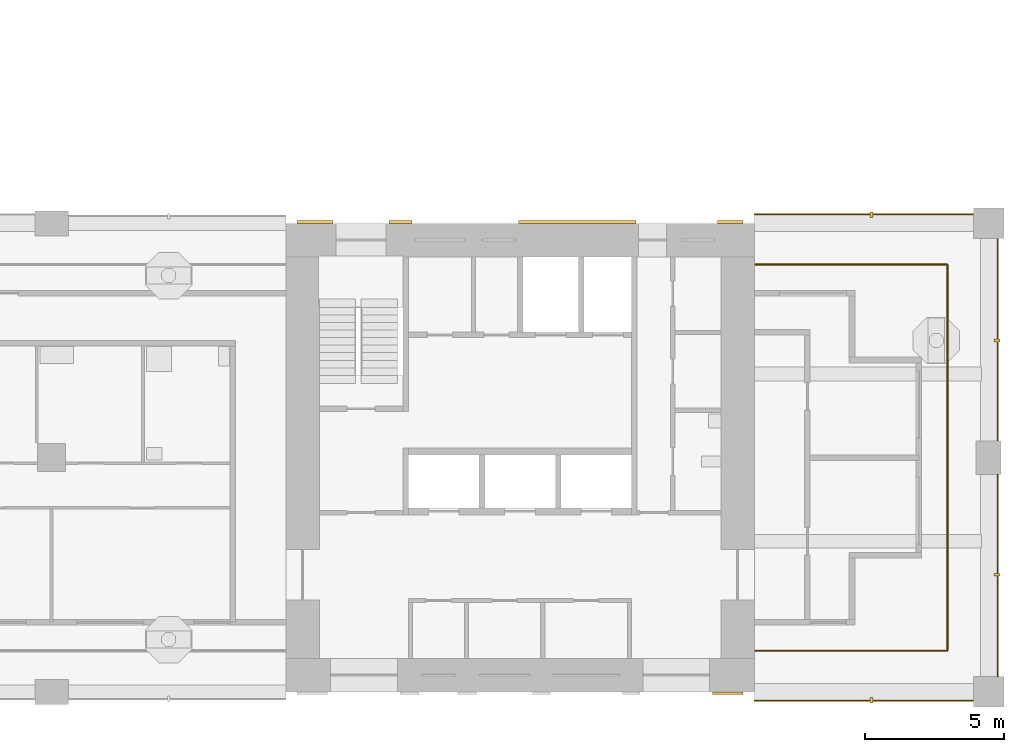
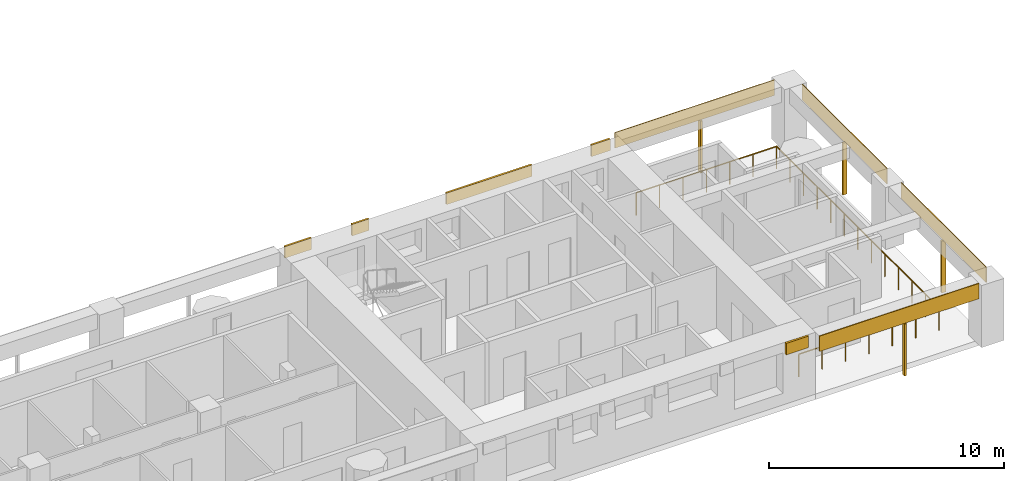
# One storey, part 9 of 13: 13 shading devices, 1 railing.
"""IFC4 building model written with IfcOpenShell, lengths in metres."""

from ifc_helpers import new_model, si_unit, direction, frame, origin, origin_2d, place, context, subcontext, project, spatial, rectangle, circle, extrude, material, layer, layer_set, material_profile, profile_set, type_object, element, save


model = new_model("IFC4")

# Units and contexts
model_context = context("Model", 3, precision=1e-05, world=origin(), true_north=direction((0.0, 1.0)))
body_context = subcontext(model_context, "Body", "Model", "MODEL_VIEW")
ifc_project = project(units=[si_unit("LENGTHUNIT", "METRE"), si_unit("AREAUNIT", "SQUARE_METRE"), si_unit("VOLUMEUNIT", "CUBIC_METRE"), si_unit("PLANEANGLEUNIT", "RADIAN"), si_unit("MASSUNIT", "GRAM", prefix="KILO")], contexts=[model_context])

# Site, building, storey
site_placement = place(None, origin())
site = spatial("IfcSite", under=ifc_project, at=site_placement, CompositionType="ELEMENT")
building_placement = place(site_placement, origin())
building = spatial("IfcBuilding", under=site, at=building_placement, Name="Vermilion Gate Residences", CompositionType="ELEMENT")
storey_placement = place(building_placement, frame((0.0, 0.0, 154.699951171875)))
storey = spatial("IfcBuildingStorey", under=building, at=storey_placement, Name="L39", CompositionType="ELEMENT", Elevation=154.699951171875)

# Railing
ifc_material_1 = material(Name="Stainless steel and toughened glass", Category="steel")
railing_type = type_object("IfcRailingType", Name="LOGGIA GUARD STEEL AND GLASS 1200", PredefinedType="GUARDRAIL", material=ifc_material_1)
railing_placement = place(storey_placement, frame((58.822021484375, 9.875, 0.0)))
element("IfcRailing", 1, at=railing_placement, inside=storey, type_object=railing_type, Name="Loggia guard", PredefinedType="GUARDRAIL", context=body_context, shape_type="SweptSolid", body=[
    extrude(circle(Radius=0.030029296875, at=origin_2d()), frame((0.0, 0.0, 1.169921875), z_axis=(1.0, 0.0, 0.0), x_axis=(0.0, 1.0, 0.0)), (0.0, 0.0, 1.0), 6.903076171875),
    extrude(circle(Radius=0.030029296875, at=origin_2d()), frame((6.903076171875, 0.0, 1.169921875), z_axis=(0.0, 1.0, 0.0), x_axis=(-1.0, 0.0, 0.0)), (0.0, 0.0, 1.0), 13.85009765625),
    extrude(circle(Radius=0.030029296875, at=origin_2d()), frame((6.903076171875, 13.85009765625, 1.169921875), z_axis=(-1.0, 0.0, 0.0), x_axis=(0.0, -1.0, 0.0)), (0.0, 0.0, 1.0), 6.903076171875),
    extrude(circle(Radius=0.02490234375, at=origin_2d()), origin(), (0.0, 0.0, 1.0), 1.139892578125),
    extrude(circle(Radius=0.02490234375, at=origin_2d()), frame((1.150390625, 0.0, 0.0)), (0.0, 0.0, 1.0), 1.139892578125),
    extrude(circle(Radius=0.02490234375, at=origin_2d()), frame((2.301025390625, 0.0, 0.0)), (0.0, 0.0, 1.0), 1.139892578125),
    extrude(circle(Radius=0.02490234375, at=origin_2d()), frame((3.45166015625, 0.0, 0.0)), (0.0, 0.0, 1.0), 1.139892578125),
    extrude(circle(Radius=0.02490234375, at=origin_2d()), frame((4.60205078125, 0.0, 0.0)), (0.0, 0.0, 1.0), 1.139892578125),
    extrude(circle(Radius=0.02490234375, at=origin_2d()), frame((5.75244140625, 0.0, 0.0)), (0.0, 0.0, 1.0), 1.139892578125),
    extrude(circle(Radius=0.02490234375, at=origin_2d()), frame((6.903076171875, 0.0, 0.0)), (0.0, 0.0, 1.0), 1.139892578125),
    extrude(circle(Radius=0.02490234375, at=origin_2d()), frame((6.903076171875, 1.154296875, 0.0)), (0.0, 0.0, 1.0), 1.139892578125),
    extrude(circle(Radius=0.02490234375, at=origin_2d()), frame((6.903076171875, 2.308349609375, 0.0)), (0.0, 0.0, 1.0), 1.139892578125),
    extrude(circle(Radius=0.02490234375, at=origin_2d()), frame((6.903076171875, 3.46240234375, 0.0)), (0.0, 0.0, 1.0), 1.139892578125),
    extrude(circle(Radius=0.02490234375, at=origin_2d()), frame((6.903076171875, 4.61669921875, 0.0)), (0.0, 0.0, 1.0), 1.139892578125),
    extrude(circle(Radius=0.02490234375, at=origin_2d()), frame((6.903076171875, 5.77099609375, 0.0)), (0.0, 0.0, 1.0), 1.139892578125),
    extrude(circle(Radius=0.02490234375, at=origin_2d()), frame((6.903076171875, 6.925048828125, 0.0)), (0.0, 0.0, 1.0), 1.139892578125),
    extrude(circle(Radius=0.02490234375, at=origin_2d()), frame((6.903076171875, 8.0791015625, 0.0)), (0.0, 0.0, 1.0), 1.139892578125),
    extrude(circle(Radius=0.02490234375, at=origin_2d()), frame((6.903076171875, 9.2333984375, 0.0)), (0.0, 0.0, 1.0), 1.139892578125),
    extrude(circle(Radius=0.02490234375, at=origin_2d()), frame((6.903076171875, 10.3876953125, 0.0)), (0.0, 0.0, 1.0), 1.139892578125),
    extrude(circle(Radius=0.02490234375, at=origin_2d()), frame((6.903076171875, 11.541748046875, 0.0)), (0.0, 0.0, 1.0), 1.139892578125),
    extrude(circle(Radius=0.02490234375, at=origin_2d()), frame((6.903076171875, 12.69580078125, 0.0)), (0.0, 0.0, 1.0), 1.139892578125),
    extrude(circle(Radius=0.02490234375, at=origin_2d()), frame((6.903076171875, 13.85009765625, 0.0)), (0.0, 0.0, 1.0), 1.139892578125),
    extrude(circle(Radius=0.02490234375, at=origin_2d()), frame((5.75244140625, 13.85009765625, 0.0)), (0.0, 0.0, 1.0), 1.139892578125),
    extrude(circle(Radius=0.02490234375, at=origin_2d()), frame((4.60205078125, 13.85009765625, 0.0)), (0.0, 0.0, 1.0), 1.139892578125),
    extrude(circle(Radius=0.02490234375, at=origin_2d()), frame((3.45166015625, 13.85009765625, 0.0)), (0.0, 0.0, 1.0), 1.139892578125),
    extrude(circle(Radius=0.02490234375, at=origin_2d()), frame((2.301025390625, 13.85009765625, 0.0)), (0.0, 0.0, 1.0), 1.139892578125),
    extrude(circle(Radius=0.02490234375, at=origin_2d()), frame((1.150390625, 13.85009765625, 0.0)), (0.0, 0.0, 1.0), 1.139892578125),
    extrude(circle(Radius=0.02490234375, at=origin_2d()), frame((0.0, 13.85009765625, 0.0)), (0.0, 0.0, 1.0), 1.139892578125),
])

# Shading devices
ifc_material_2 = material(Name="Perforated terracotta", Category="masonry")
ifc_layer_1 = layer(ifc_material_2, 0.0400390625)
ifc_layer_set_1 = layer_set([ifc_layer_1], Name="PERFORATED TERRACOTTA SCREEN 40")
shading_device_type_1 = type_object("IfcShadingDeviceType", Name="PERFORATED TERRACOTTA SCREEN 40", PredefinedType="SHUTTER", material=ifc_layer_set_1)
shading_device_1_placement = place(storey_placement, frame((62.72509765625, 8.080078125, 2.419921875), z_axis=(0.0, 0.0, 1.0), x_axis=(1.0, 0.0, 0.0)))
element("IfcShadingDevice", 2, at=shading_device_1_placement, inside=storey, type_object=shading_device_type_1, Name="SCREEN", PredefinedType="SHUTTER", context=body_context, shape_type="SweptSolid", body=[
    extrude(rectangle(XDim=7.85009765625, YDim=0.0400390625, at=origin_2d()), origin(), (0.0, 0.0, 1.0), 0.800048828125),
])
for number, where, z_axis, x_axis, name in (
    (3, (67.52001953125, 12.574951171875, 2.419921875), (0.0, 0.0, 1.0), (0.0, 1.0, 0.0), "SCREEN"),
    (4, (67.52001953125, 21.02490234375, 2.419921875), (0.0, 0.0, 1.0), (0.0, 1.0, 0.0), "SCREEN"),
):
    element("IfcShadingDevice", number, at=place(storey_placement, frame(where, z_axis=z_axis, x_axis=x_axis)), inside=storey, type_object=shading_device_type_1, Name=name, PredefinedType="SHUTTER", context=body_context, shape_type="SweptSolid", body=[
        extrude(rectangle(XDim=7.25, YDim=0.0400390625, at=origin_2d()), origin(), (0.0, 0.0, 1.0), 0.800048828125),
    ])
shading_device_2_placement = place(storey_placement, frame((62.72509765625, 25.52001953125, 2.419921875), z_axis=(0.0, 0.0, 1.0), x_axis=(-1.0, 0.0, 0.0)))
element("IfcShadingDevice", 5, at=shading_device_2_placement, inside=storey, type_object=shading_device_type_1, Name="SCREEN", PredefinedType="SHUTTER", context=body_context, shape_type="SweptSolid", body=[
    extrude(rectangle(XDim=7.85009765625, YDim=0.0400390625, at=origin_2d()), origin(), (0.0, 0.0, 1.0), 0.800048828125),
])
ifc_material_3 = material(Name="Extruded terracotta", Category="masonry")
ifc_material_profile = material_profile(ifc_material_3, rectangle(XDim=0.199951171875, YDim=0.10009765625, at=origin_2d()), Name="BAGUETTE 100 X 200")
ifc_profile_set = profile_set([ifc_material_profile], Name="Extruded terracotta")
shading_device_type_2 = type_object("IfcShadingDeviceType", Name="TERRACOTTA BAGUETTE 100 X 200", PredefinedType="JALOUSIE", material=ifc_profile_set)
for number, where, z_axis, x_axis, name in (
    (6, (63.0, 8.10009765625, -0.280029296875), (0.0, 0.0, 1.0), (0.0, 1.0, 0.0), "BAGUETTE"),
    (7, (67.5, 12.60009765625, -0.280029296875), (0.0, 0.0, 1.0), (-1.0, 0.0, 0.0), "BAGUETTE"),
    (8, (67.5, 21.0, -0.280029296875), (0.0, 0.0, 1.0), (-1.0, 0.0, 0.0), "BAGUETTE"),
    (9, (63.0, 25.5, -0.280029296875), (0.0, 0.0, 1.0), (0.0, -1.0, 0.0), "BAGUETTE"),
):
    element("IfcShadingDevice", number, at=place(storey_placement, frame(where, z_axis=z_axis, x_axis=x_axis)), inside=storey, type_object=shading_device_type_2, Name=name, PredefinedType="JALOUSIE", context=body_context, shape_type="SweptSolid", body=[
        extrude(rectangle(XDim=0.199951171875, YDim=0.10009765625, at=origin_2d()), origin(), (0.0, 0.0, 1.0), 2.7001953125),
    ])
ifc_material_4 = material(Name="Extruded terracotta", Category="masonry")
ifc_layer_2 = layer(ifc_material_4, 0.10009765625)
ifc_layer_set_2 = layer_set([ifc_layer_2], Name="TERRACOTTA SPANDREL BAND 600 X 100")
shading_device_type_3 = type_object("IfcShadingDeviceType", Name="TERRACOTTA SPANDREL BAND 600 X 100", PredefinedType="USERDEFINED", material=ifc_layer_set_2)
shading_device_3_placement = place(storey_placement, frame((57.85009765625, 8.35009765625, 2.6201171875), z_axis=(0.0, 0.0, 1.0), x_axis=(1.0, 0.0, 0.0)))
element("IfcShadingDevice", 10, at=shading_device_3_placement, inside=storey, type_object=shading_device_type_3, Name="SPANDREL BAND", ObjectType="BAND", PredefinedType="USERDEFINED", context=body_context, shape_type="SweptSolid", body=[
    extrude(rectangle(XDim=1.10009765625, YDim=0.10009765625, at=origin_2d()), origin(), (0.0, 0.0, 1.0), 0.60009765625),
])
shading_device_4_placement = place(storey_placement, frame((43.050048828125, 25.25, 2.6201171875), z_axis=(0.0, 0.0, 1.0), x_axis=(1.0, 0.0, 0.0)))
element("IfcShadingDevice", 11, at=shading_device_4_placement, inside=storey, type_object=shading_device_type_3, Name="SPANDREL BAND", ObjectType="BAND", PredefinedType="USERDEFINED", context=body_context, shape_type="SweptSolid", body=[
    extrude(rectangle(XDim=1.300048828125, YDim=0.10009765625, at=origin_2d()), origin(), (0.0, 0.0, 1.0), 0.60009765625),
])
shading_device_5_placement = place(storey_placement, frame((46.112548828125, 25.25, 2.6201171875), z_axis=(0.0, 0.0, 1.0), x_axis=(1.0, 0.0, 0.0)))
element("IfcShadingDevice", 12, at=shading_device_5_placement, inside=storey, type_object=shading_device_type_3, Name="SPANDREL BAND", ObjectType="BAND", PredefinedType="USERDEFINED", context=body_context, shape_type="SweptSolid", body=[
    extrude(rectangle(XDim=0.824951171875, YDim=0.10009765625, at=origin_2d()), origin(), (0.0, 0.0, 1.0), 0.60009765625),
])
shading_device_6_placement = place(storey_placement, frame((52.449951171875, 25.25, 2.6201171875), z_axis=(0.0, 0.0, 1.0), x_axis=(1.0, 0.0, 0.0)))
element("IfcShadingDevice", 13, at=shading_device_6_placement, inside=storey, type_object=shading_device_type_3, Name="SPANDREL BAND", ObjectType="BAND", PredefinedType="USERDEFINED", context=body_context, shape_type="SweptSolid", body=[
    extrude(rectangle(XDim=4.199951171875, YDim=0.10009765625, at=origin_2d()), origin(), (0.0, 0.0, 1.0), 0.60009765625),
])
shading_device_7_placement = place(storey_placement, frame((57.9375, 25.25, 2.6201171875), z_axis=(0.0, 0.0, 1.0), x_axis=(1.0, 0.0, 0.0)))
element("IfcShadingDevice", 14, at=shading_device_7_placement, inside=storey, type_object=shading_device_type_3, Name="SPANDREL BAND", ObjectType="BAND", PredefinedType="USERDEFINED", context=body_context, shape_type="SweptSolid", body=[
    extrude(rectangle(XDim=0.925048828125, YDim=0.10009765625, at=origin_2d()), origin(), (0.0, 0.0, 1.0), 0.60009765625),
])

save(model, "model.ifc")
